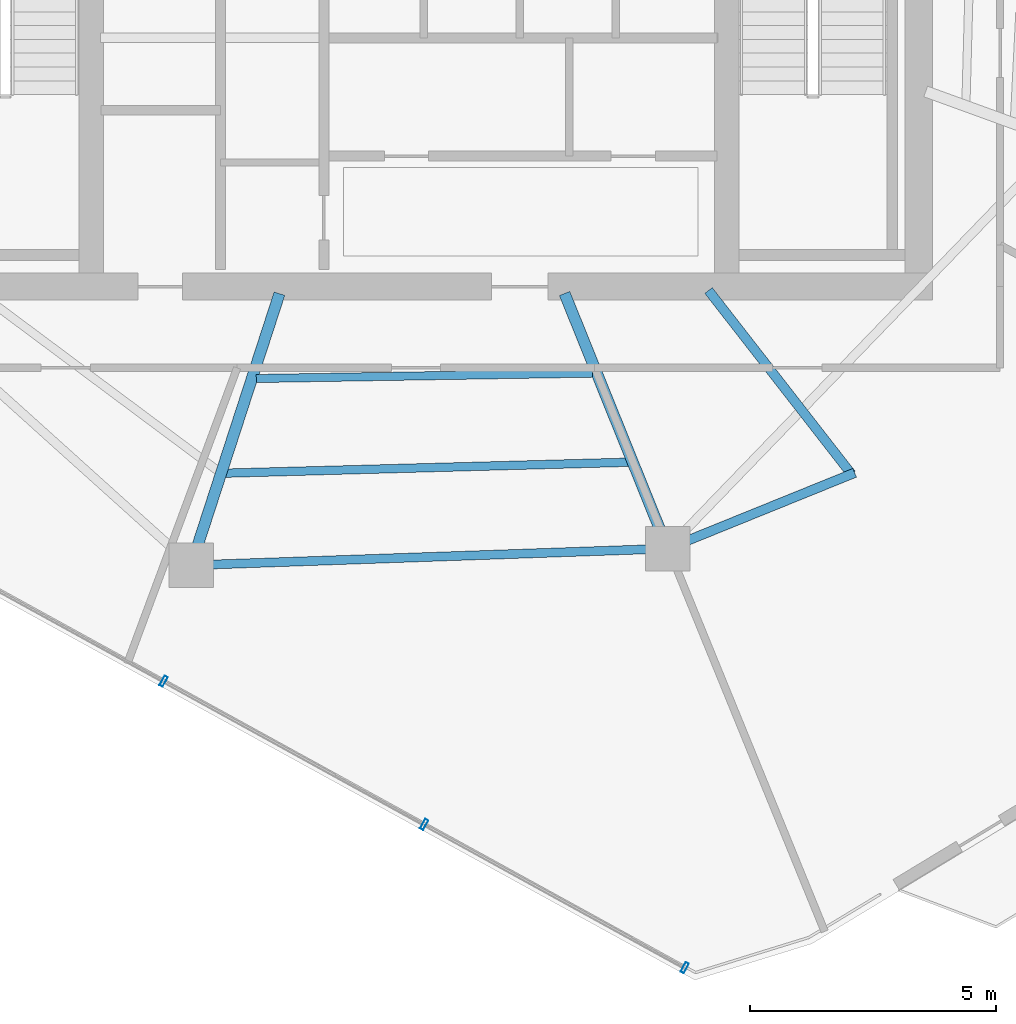
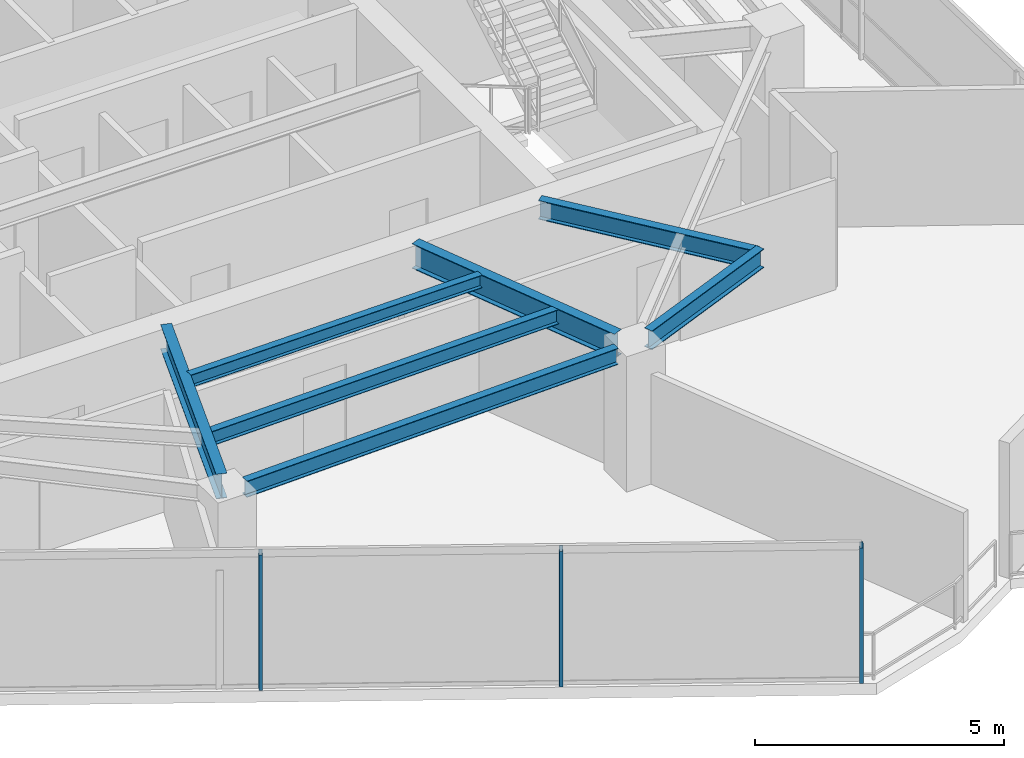
# One storey, part 3 of 19: 7 beams, 3 members, 1 element without a shape of its own.
"""IFC4 building model written with IfcOpenShell, lengths in metres."""

from ifc_helpers import new_model, si_unit, direction, frame, origin, origin_2d, place, context, subcontext, project, spatial, hollow_rectangle, i_section, extrude, material, layer, layer_set, material_profile, profile_set, type_object, element, aggregate, save


model = new_model("IFC4")

# Units and contexts
model_context = context("Model", 3, precision=1e-05, world=origin(), true_north=direction((0.0, 1.0)))
body_context = subcontext(model_context, "Body", "Model", "MODEL_VIEW")
ifc_project = project(units=[si_unit("LENGTHUNIT", "METRE"), si_unit("AREAUNIT", "SQUARE_METRE"), si_unit("VOLUMEUNIT", "CUBIC_METRE"), si_unit("PLANEANGLEUNIT", "RADIAN"), si_unit("MASSUNIT", "GRAM", prefix="KILO")], contexts=[model_context])

# Site, building, storey
site_placement = place(None, origin())
site = spatial("IfcSite", under=ifc_project, at=site_placement, CompositionType="ELEMENT")
building_placement = place(site_placement, origin())
building = spatial("IfcBuilding", under=site, at=building_placement, Name="Qarnah Convention Tower", CompositionType="ELEMENT")
storey_placement = place(building_placement, frame((0.0, 0.0, 184.199951171875)))
storey = spatial("IfcBuildingStorey", under=building, at=storey_placement, Name="L49", CompositionType="ELEMENT", Elevation=184.199951171875)

# Beams
ifc_material_1 = material(Name="Structural steel S355JR", Category="steel")
ifc_material_profile_1 = material_profile(ifc_material_1, i_section(OverallWidth=0.19189453125, OverallDepth=0.464111328125, WebThickness=0.010986328125, FlangeThickness=0.01806640625, at=origin_2d()), Name="W460X89")
ifc_profile_set_1 = profile_set([ifc_material_profile_1], Name="Structural steel S355JR")
beam_type_1 = type_object("IfcBeamType", Name="BM-CANT-W460A", PredefinedType="BEAM", material=ifc_profile_set_1)
beam_1_placement = place(storey_placement, frame((43.3310546875, 18.52099609375, 3.088134765625), z_axis=(0.614241094698, -0.789118417973, 0.0), x_axis=(0.789118417973, 0.614241094698, 0.0)))
element("IfcBeam", 1, at=beam_1_placement, inside=storey, type_object=beam_type_1, Name="L49 beam BM-L49-CNT-03-1", PredefinedType="BEAM", context=body_context, shape_type="SweptSolid", body=[
    extrude(i_section(OverallWidth=0.19189453125, OverallDepth=0.464111328125, WebThickness=0.010986328125, FlangeThickness=0.01806640625, at=origin_2d()), origin(), (0.0, 0.0, 1.0), 4.724365234375),
])
beam_2_placement = place(storey_placement, frame((46.298095703125, 14.819091796875, 3.088134765625), z_axis=(-0.926735498901, -0.375714406268, 0.0), x_axis=(0.375714406268, -0.926735498901, 0.0)))
element("IfcBeam", 2, at=beam_2_placement, inside=storey, type_object=beam_type_1, Name="L49 spandrel BM-L49-CTIE-03", PredefinedType="SPANDREL", context=body_context, shape_type="SweptSolid", body=[
    extrude(i_section(OverallWidth=0.19189453125, OverallDepth=0.464111328125, WebThickness=0.010986328125, FlangeThickness=0.01806640625, at=origin_2d()), origin(), (0.0, 0.0, 1.0), 3.656982421875),
])
ifc_material_profile_2 = material_profile(ifc_material_1, i_section(OverallWidth=0.166015625, OverallDepth=0.31201171875, WebThickness=0.007080078125, FlangeThickness=0.010986328125, at=origin_2d()), Name="W310X45")
ifc_profile_set_2 = profile_set([ifc_material_profile_2], Name="Structural steel S355JR")
beam_type_2 = type_object("IfcBeamType", Name="BM-JST-W310", PredefinedType="JOIST", material=ifc_profile_set_2)
beam_3_placement = place(storey_placement, frame((34.14794921875, 16.73388671875, 3.1640625), z_axis=(0.999872111544, 0.015992515614, 0.0), x_axis=(-0.015992515614, 0.999872111544, 0.0)))
element("IfcBeam", 3, at=beam_3_placement, inside=storey, type_object=beam_type_2, Name="L49 joist BM-L49-IJST-07", PredefinedType="JOIST", context=body_context, shape_type="SweptSolid", body=[
    extrude(i_section(OverallWidth=0.166015625, OverallDepth=0.31201171875, WebThickness=0.007080078125, FlangeThickness=0.010986328125, at=origin_2d()), origin(), (0.0, 0.0, 1.0), 6.823974609375),
])
ifc_material_profile_3 = material_profile(ifc_material_1, i_section(OverallWidth=0.172119140625, OverallDepth=0.35595703125, WebThickness=0.007080078125, FlangeThickness=0.011962890625, at=origin_2d()), Name="W360X51")
ifc_profile_set_3 = profile_set([ifc_material_profile_3], Name="Structural steel S355JR")
beam_type_3 = type_object("IfcBeamType", Name="BM-JST-W360", PredefinedType="JOIST", material=ifc_profile_set_3)
beam_4_placement = place(storey_placement, frame((33.52392578125, 14.81201171875, 3.14208984375), z_axis=(0.999632001403, 0.027126772227, 0.0), x_axis=(-0.027126772227, 0.999632001403, 0.0)))
element("IfcBeam", 4, at=beam_4_placement, inside=storey, type_object=beam_type_3, Name="L49 joist BM-L49-SJST-07", PredefinedType="JOIST", context=body_context, shape_type="SweptSolid", body=[
    extrude(i_section(OverallWidth=0.172119140625, OverallDepth=0.35595703125, WebThickness=0.007080078125, FlangeThickness=0.011962890625, at=origin_2d()), origin(), (0.0, 0.0, 1.0), 8.180908203125),
])
ifc_material_profile_4 = material_profile(ifc_material_1, i_section(OverallWidth=0.22802734375, OverallDepth=0.60791015625, WebThickness=0.010986328125, FlangeThickness=0.01708984375, at=origin_2d()), Name="W610X113")
ifc_profile_set_4 = profile_set([ifc_material_profile_4], Name="Structural steel S355JR")
beam_type_4 = type_object("IfcBeamType", Name="BM-RAD-W610B", PredefinedType="BEAM", material=ifc_profile_set_4)
beam_5_placement = place(storey_placement, frame((34.618896484375, 18.45703125, 3.01611328125), z_axis=(-0.309055218988, -0.951044095516, 0.0), x_axis=(0.951044095516, -0.309055218988, 0.0)))
element("IfcBeam", 5, at=beam_5_placement, inside=storey, type_object=beam_type_4, Name="L49 beam BM-L49-RAD-07", PredefinedType="BEAM", context=body_context, shape_type="SweptSolid", body=[
    extrude(i_section(OverallWidth=0.22802734375, OverallDepth=0.60791015625, WebThickness=0.010986328125, FlangeThickness=0.01708984375, at=origin_2d()), origin(), (0.0, 0.0, 1.0), 5.36767578125),
])
beam_6_placement = place(storey_placement, frame((40.407958984375, 18.4609375, 3.01611328125), z_axis=(0.374620360642, -0.927178292127, 0.0), x_axis=(0.927178292127, 0.374620360642, 0.0)))
element("IfcBeam", 6, at=beam_6_placement, inside=storey, type_object=beam_type_4, Name="L49 beam BM-L49-RAD-08", PredefinedType="BEAM", context=body_context, shape_type="SweptSolid", body=[
    extrude(i_section(OverallWidth=0.22802734375, OverallDepth=0.60791015625, WebThickness=0.010986328125, FlangeThickness=0.01708984375, at=origin_2d()), origin(), (0.0, 0.0, 1.0), 5.157470703125),
])
ifc_material_profile_5 = material_profile(ifc_material_1, i_section(OverallWidth=0.179931640625, OverallDepth=0.39990234375, WebThickness=0.009033203125, FlangeThickness=0.013916015625, at=origin_2d()), Name="IPE400")
ifc_profile_set_5 = profile_set([ifc_material_profile_5], Name="Structural steel S355JR")
beam_type_5 = type_object("IfcBeamType", Name="BM-SPN-IPE400", PredefinedType="SPANDREL", material=ifc_profile_set_5)
beam_7_placement = place(storey_placement, frame((33.26708984375, 12.9580078125, 3.1201171875), z_axis=(0.999391645542, 0.034876049374, 0.0), x_axis=(-0.034876049374, 0.999391645542, 0.0)))
element("IfcBeam", 7, at=beam_7_placement, inside=storey, type_object=beam_type_5, Name="L49 spandrel BM-L49-SPN-07", PredefinedType="SPANDREL", context=body_context, shape_type="SweptSolid", body=[
    extrude(i_section(OverallWidth=0.179931640625, OverallDepth=0.39990234375, WebThickness=0.009033203125, FlangeThickness=0.013916015625, at=origin_2d()), origin(), (0.0, 0.0, 1.0), 8.79931640625),
])

# Curtain wall, members
ifc_material_2 = material(Name="Tempered Low-E dark glass", Category="glass")
ifc_layer = layer(ifc_material_2, 0.174072265625)
ifc_layer_set = layer_set([ifc_layer], Name="Tempered Low-E dark glass")
curtain_wall_type = type_object("IfcCurtainWallType", Name="CWS-04", PredefinedType="NOTDEFINED", material=ifc_layer_set)
curtain_wall_placement = place(storey_placement, origin())
curtain_wall = element("IfcCurtainWall", 8, at=curtain_wall_placement, inside=storey, type_object=curtain_wall_type, Name="L49 unitised curtain wall CW-L49-F3", PredefinedType="NOTDEFINED")
ifc_material_3 = material(Name="Black anodised aluminium", Category="aluminium")
ifc_material_profile_6 = material_profile(ifc_material_3, hollow_rectangle(XDim=0.074951171875, YDim=0.219970703125, WallThickness=0.0048828125, at=origin_2d()), Name="MUL-75X220")
ifc_profile_set_6 = profile_set([ifc_material_profile_6], Name="Black anodised aluminium")
member_type = type_object("IfcMemberType", Name="MUL-T4", PredefinedType="MULLION", material=ifc_profile_set_6)
member_1_placement = place(storey_placement, frame((42.847900390625, 4.77099609375, 0.0), z_axis=(0.0, 0.0, 1.0), x_axis=(-0.876301920967, 0.481762330729, 0.0)))
member_1 = element("IfcMember", 9, at=member_1_placement, type_object=member_type, Name="CW-L49-F3 mullion 1", PredefinedType="MULLION", context=body_context, shape_type="SweptSolid", body=[
    extrude(hollow_rectangle(XDim=0.074951171875, YDim=0.219970703125, WallThickness=0.0048828125, at=origin_2d()), origin(), (0.0, 0.0, 1.0), 3.320068359375),
])
member_2_placement = place(storey_placement, frame((37.557373046875, 7.6796875, 0.0), z_axis=(0.0, 0.0, 1.0), x_axis=(-0.876301920967, 0.481762330729, 0.0)))
member_2 = element("IfcMember", 10, at=member_2_placement, type_object=member_type, Name="CW-L49-F3 mullion 2", PredefinedType="MULLION", context=body_context, shape_type="SweptSolid", body=[
    extrude(hollow_rectangle(XDim=0.074951171875, YDim=0.219970703125, WallThickness=0.0048828125, at=origin_2d()), origin(), (0.0, 0.0, 1.0), 3.320068359375),
])
member_3_placement = place(storey_placement, frame((32.266845703125, 10.588134765625, 0.0), z_axis=(0.0, 0.0, 1.0), x_axis=(-0.876301920967, 0.481762330729, 0.0)))
member_3 = element("IfcMember", 11, at=member_3_placement, type_object=member_type, Name="CW-L49-F3 mullion 3", PredefinedType="MULLION", context=body_context, shape_type="SweptSolid", body=[
    extrude(hollow_rectangle(XDim=0.074951171875, YDim=0.219970703125, WallThickness=0.0048828125, at=origin_2d()), origin(), (0.0, 0.0, 1.0), 3.320068359375),
])
aggregate(curtain_wall, [member_1, member_2, member_3])

save(model, "model.ifc")
